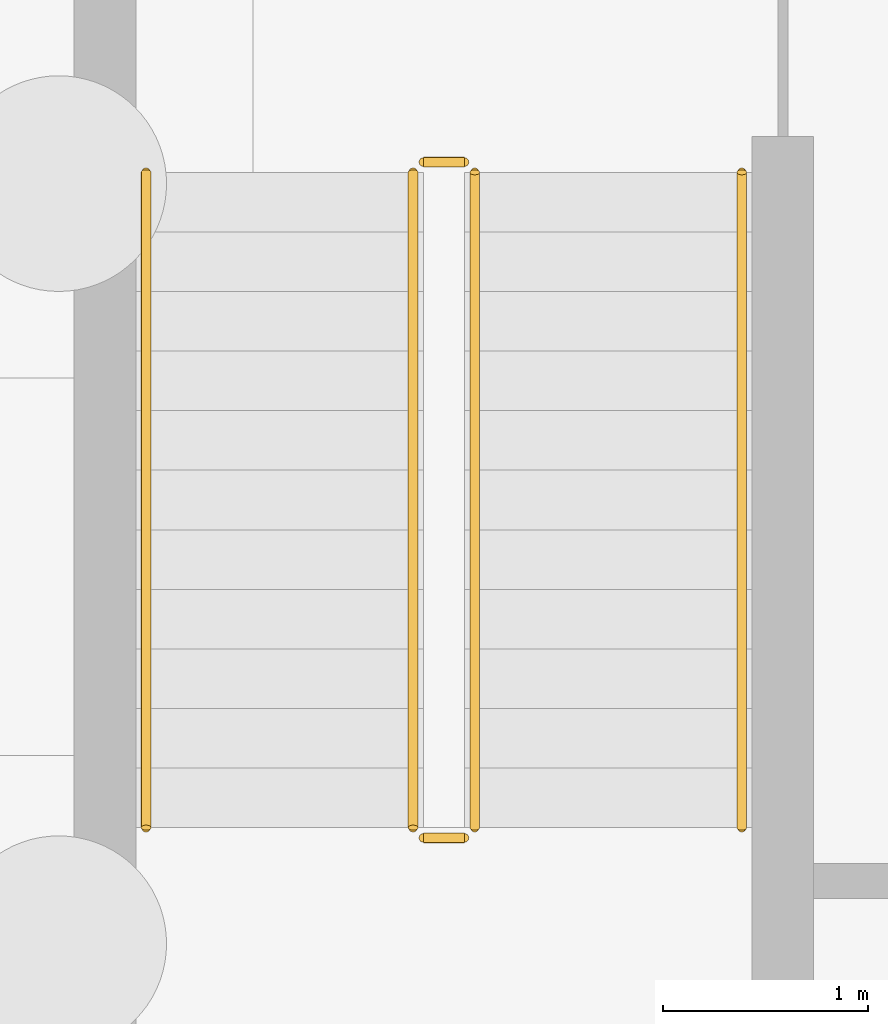
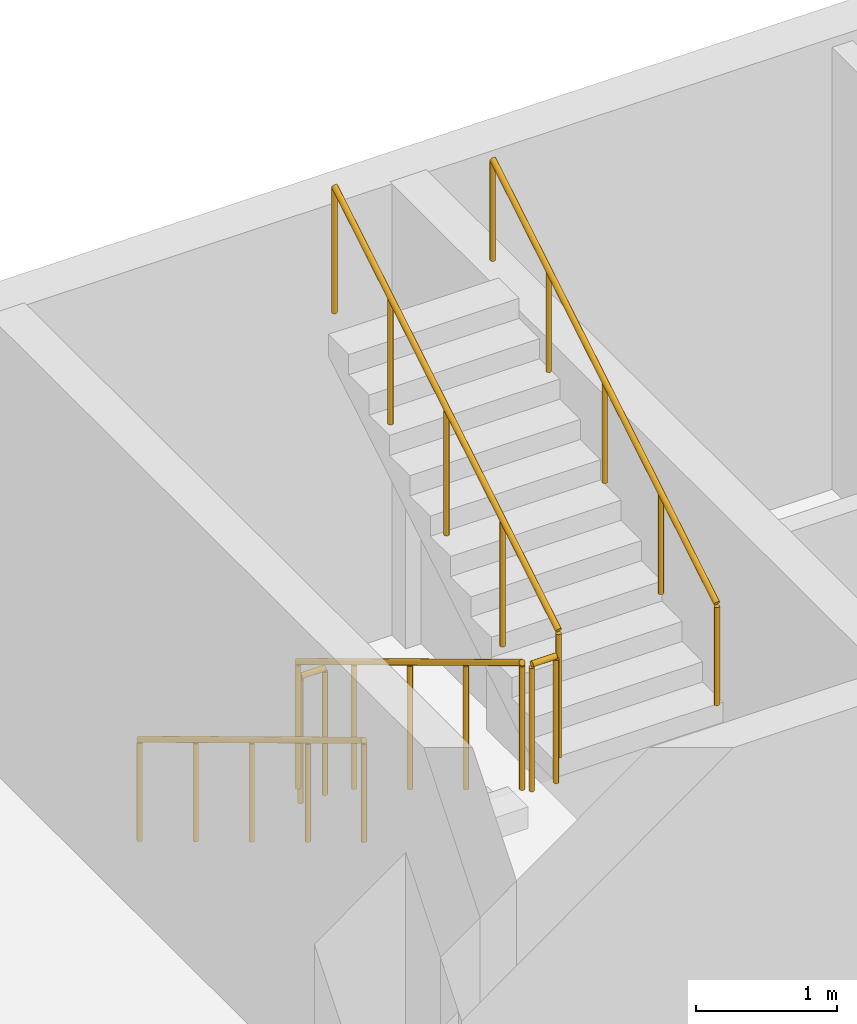
# One storey, part 32 of 36: 6 railings.
"""IFC4 building model written with IfcOpenShell, lengths in metres."""

from ifc_helpers import new_model, si_unit, derived_unit, direction, frame, origin, origin_2d, place, context, subcontext, project, spatial, circle, extrude, material, type_object, element, save


model = new_model("IFC4")

# Units and contexts
model_context = context("Model", 3, precision=1e-05, world=origin(), true_north=direction((0.0, 1.0)))
body_context = subcontext(model_context, "Body", "Model", "MODEL_VIEW")
ifc_project = project(units=[si_unit("LENGTHUNIT", "METRE"), si_unit("AREAUNIT", "SQUARE_METRE"), si_unit("VOLUMEUNIT", "CUBIC_METRE"), si_unit("PLANEANGLEUNIT", "RADIAN"), si_unit("MASSUNIT", "GRAM", prefix="KILO"), derived_unit("THERMALTRANSMITTANCEUNIT", [(si_unit("MASSUNIT", "GRAM", prefix="KILO"), 1), (si_unit("TIMEUNIT", "SECOND"), -3), (si_unit("THERMODYNAMICTEMPERATUREUNIT", "KELVIN"), -1)])], contexts=[model_context])

# Site, building, storey
site_placement = place(None, origin())
site = spatial("IfcSite", under=ifc_project, at=site_placement, CompositionType="ELEMENT")
building_placement = place(site_placement, origin())
building = spatial("IfcBuilding", under=site, at=building_placement, Name="Ochrekiln Boulevard Commons", CompositionType="ELEMENT")
storey_placement = place(building_placement, frame((0.0, 0.0, -4.199951171875)))
storey = spatial("IfcBuildingStorey", under=building, at=storey_placement, Name="B1", CompositionType="ELEMENT", Elevation=-4.199951171875)

# Railings
ifc_material = material(Name="Brushed stainless steel 316 tubular railing", Category="steel")
railing_type_1 = type_object("IfcRailingType", Name="RLG-HDR-900", PredefinedType="HANDRAIL", material=ifc_material)
railing_1_placement = place(storey_placement, frame((6.449951171875, 116.929931640625, 0.175048828125)))
element("IfcRailing", 1, at=railing_1_placement, inside=storey, type_object=railing_type_1, Name="B1 ST-A2 stair handrail 1", PredefinedType="HANDRAIL", context=body_context, shape_type="SweptSolid", body=[
    extrude(circle(Radius=0.02392578125, at=origin_2d()), frame((0.0, 0.0, 0.8759765625), z_axis=(0.0, -0.856206652436, 0.516633495163), x_axis=(1.0, 0.0, 0.0)), (0.0, 0.0, 1.0), 3.7255859375),
    extrude(circle(Radius=0.02099609375, at=origin_2d()), origin(), (0.0, 0.0, 1.0), 0.851806640625),
    extrude(circle(Radius=0.02099609375, at=origin_2d()), frame((0.0, -0.79736328125, 0.481201171875)), (0.0, 0.0, 1.0), 0.851806640625),
    extrude(circle(Radius=0.02099609375, at=origin_2d()), frame((0.0, -1.594970703125, 0.96240234375)), (0.0, 0.0, 1.0), 0.851806640625),
    extrude(circle(Radius=0.02099609375, at=origin_2d()), frame((0.0, -2.392578125, 1.443603515625)), (0.0, 0.0, 1.0), 0.851806640625),
    extrude(circle(Radius=0.02099609375, at=origin_2d()), frame((0.0, -3.18994140625, 1.9248046875)), (0.0, 0.0, 1.0), 0.851806640625),
])
railing_2_placement = place(storey_placement, frame((9.35009765625, 113.739990234375, 2.27490234375)))
element("IfcRailing", 2, at=railing_2_placement, inside=storey, type_object=railing_type_1, Name="B1 ST-A2 stair handrail 2", PredefinedType="HANDRAIL", context=body_context, shape_type="SweptSolid", body=[
    extrude(circle(Radius=0.02392578125, at=origin_2d()), frame((0.0, 0.0, 0.8759765625), z_axis=(0.0, 0.856177665481, 0.516681531633), x_axis=(-1.0, 0.0, 0.0)), (0.0, 0.0, 1.0), 3.725830078125),
    extrude(circle(Radius=0.02099609375, at=origin_2d()), origin(), (0.0, 0.0, 1.0), 0.851806640625),
    extrude(circle(Radius=0.02099609375, at=origin_2d()), frame((0.0, 0.79736328125, 0.481201171875)), (0.0, 0.0, 1.0), 0.851806640625),
    extrude(circle(Radius=0.02099609375, at=origin_2d()), frame((0.0, 1.594970703125, 0.96240234375)), (0.0, 0.0, 1.0), 0.851806640625),
    extrude(circle(Radius=0.02099609375, at=origin_2d()), frame((0.0, 2.392578125, 1.44384765625)), (0.0, 0.0, 1.0), 0.851806640625),
    extrude(circle(Radius=0.02099609375, at=origin_2d()), frame((0.0, 3.18994140625, 1.925048828125)), (0.0, 0.0, 1.0), 0.851806640625),
])
railing_type_2 = type_object("IfcRailingType", Name="RLG-STR-1120", PredefinedType="BALUSTRADE", material=ifc_material)
railing_3_placement = place(storey_placement, frame((7.75, 116.929931640625, 0.175048828125)))
element("IfcRailing", 3, at=railing_3_placement, inside=storey, type_object=railing_type_2, Name="B1 ST-A2 stair guard 1", PredefinedType="BALUSTRADE", context=body_context, shape_type="SweptSolid", body=[
    extrude(circle(Radius=0.02392578125, at=origin_2d()), frame((0.0, 0.0, 1.09619140625), z_axis=(0.0, -0.856206652436, 0.516633495163), x_axis=(1.0, 0.0, 0.0)), (0.0, 0.0, 1.0), 3.7255859375),
    extrude(circle(Radius=0.02099609375, at=origin_2d()), origin(), (0.0, 0.0, 1.0), 1.072021484375),
    extrude(circle(Radius=0.02099609375, at=origin_2d()), frame((0.0, -0.79736328125, 0.481201171875)), (0.0, 0.0, 1.0), 1.072021484375),
    extrude(circle(Radius=0.02099609375, at=origin_2d()), frame((0.0, -1.594970703125, 0.96240234375)), (0.0, 0.0, 1.0), 1.072021484375),
    extrude(circle(Radius=0.02099609375, at=origin_2d()), frame((0.0, -2.392578125, 1.443603515625)), (0.0, 0.0, 1.0), 1.072021484375),
    extrude(circle(Radius=0.02099609375, at=origin_2d()), frame((0.0, -3.18994140625, 1.9248046875)), (0.0, 0.0, 1.0), 1.072021484375),
])
railing_4_placement = place(storey_placement, frame((7.800048828125, 113.68994140625, 2.099853515625)))
element("IfcRailing", 4, at=railing_4_placement, inside=storey, type_object=railing_type_2, Name="B1 ST-A2 stair guard 2", PredefinedType="BALUSTRADE", context=body_context, shape_type="SweptSolid", body=[
    extrude(circle(Radius=0.02392578125, at=origin_2d()), frame((0.0, 0.0, 1.09619140625), z_axis=(1.0, 0.0, 0.0), x_axis=(0.0, 1.0, 0.0)), (0.0, 0.0, 1.0), 0.199951171875),
    extrude(circle(Radius=0.02099609375, at=origin_2d()), origin(), (0.0, 0.0, 1.0), 1.072021484375),
    extrude(circle(Radius=0.02099609375, at=origin_2d()), frame((0.199951171875, 0.0, 0.0)), (0.0, 0.0, 1.0), 1.072021484375),
])
railing_5_placement = place(storey_placement, frame((8.050048828125, 113.739990234375, 2.27490234375)))
element("IfcRailing", 5, at=railing_5_placement, inside=storey, type_object=railing_type_2, Name="B1 ST-A2 stair guard 3", PredefinedType="BALUSTRADE", context=body_context, shape_type="SweptSolid", body=[
    extrude(circle(Radius=0.02392578125, at=origin_2d()), frame((0.0, 0.0, 1.09619140625), z_axis=(0.0, 0.856177665481, 0.516681531633), x_axis=(-1.0, 0.0, 0.0)), (0.0, 0.0, 1.0), 3.725830078125),
    extrude(circle(Radius=0.02099609375, at=origin_2d()), origin(), (0.0, 0.0, 1.0), 1.072021484375),
    extrude(circle(Radius=0.02099609375, at=origin_2d()), frame((0.0, 0.79736328125, 0.481201171875)), (0.0, 0.0, 1.0), 1.072021484375),
    extrude(circle(Radius=0.02099609375, at=origin_2d()), frame((0.0, 1.594970703125, 0.96240234375)), (0.0, 0.0, 1.0), 1.072021484375),
    extrude(circle(Radius=0.02099609375, at=origin_2d()), frame((0.0, 2.392578125, 1.44384765625)), (0.0, 0.0, 1.0), 1.072021484375),
    extrude(circle(Radius=0.02099609375, at=origin_2d()), frame((0.0, 3.18994140625, 1.925048828125)), (0.0, 0.0, 1.0), 1.072021484375),
])
railing_6_placement = place(storey_placement, frame((7.800048828125, 116.97998046875, 0.0)))
element("IfcRailing", 6, at=railing_6_placement, inside=storey, type_object=railing_type_2, Name="B1 ST-A2 stair guard 4", PredefinedType="BALUSTRADE", context=body_context, shape_type="SweptSolid", body=[
    extrude(circle(Radius=0.02392578125, at=origin_2d()), frame((0.0, 0.0, 1.09619140625), z_axis=(1.0, 0.0, 0.0), x_axis=(0.0, 1.0, 0.0)), (0.0, 0.0, 1.0), 0.199951171875),
    extrude(circle(Radius=0.02099609375, at=origin_2d()), origin(), (0.0, 0.0, 1.0), 1.072021484375),
    extrude(circle(Radius=0.02099609375, at=origin_2d()), frame((0.199951171875, 0.0, 0.0)), (0.0, 0.0, 1.0), 1.072021484375),
])

save(model, "model.ifc")
